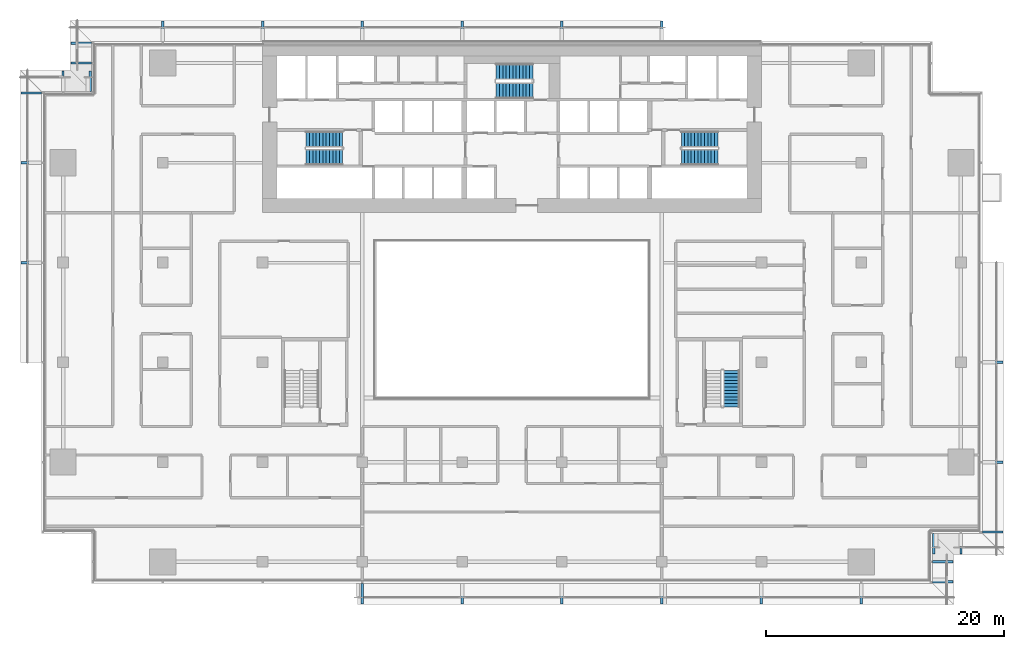
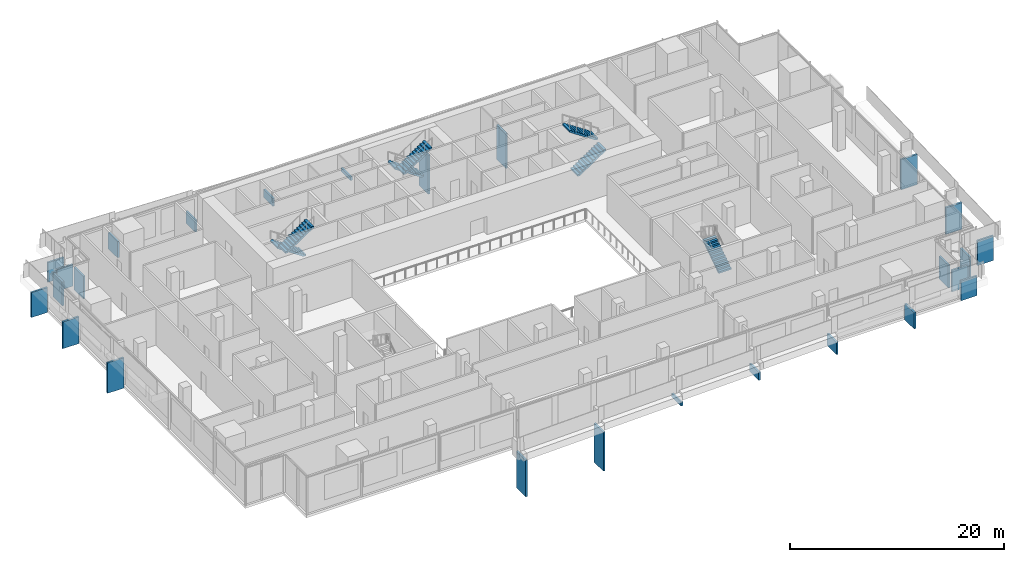
# One storey, part 19 of 24: 26 discrete accessories, 7 stair flights, 4 elements without a shape of their own.
"""IFC4 building model written with IfcOpenShell, lengths in metres."""

from ifc_helpers import new_model, si_unit, direction, frame, origin, origin_2d, place, context, subcontext, project, spatial, polyline, rectangle, outline, extrude, material, type_object, element, aggregate, save


model = new_model("IFC4")

# Units and contexts
model_context = context("Model", 3, precision=1e-05, world=origin(), true_north=direction((0.0, 1.0)))
body_context = subcontext(model_context, "Body", "Model", "MODEL_VIEW")
ifc_project = project(units=[si_unit("LENGTHUNIT", "METRE"), si_unit("AREAUNIT", "SQUARE_METRE"), si_unit("VOLUMEUNIT", "CUBIC_METRE"), si_unit("PLANEANGLEUNIT", "RADIAN"), si_unit("MASSUNIT", "GRAM", prefix="KILO")], contexts=[model_context])

# Site, building, storey
site_placement = place(None, origin())
site = spatial("IfcSite", under=ifc_project, at=site_placement, CompositionType="ELEMENT")
building_placement = place(site_placement, origin())
building = spatial("IfcBuilding", under=site, at=building_placement, Name="Saffron Gate Tower", CompositionType="ELEMENT")
storey_placement = place(building_placement, frame((0.0, 0.0, 28.199951171875)))
storey = spatial("IfcBuildingStorey", under=building, at=storey_placement, Name="L05", CompositionType="ELEMENT", Elevation=28.199951171875)

# Stair, stair flights
ifc_material = material(Name="Concrete C40", Category="concrete")
stair_type = type_object("IfcStairType", Name="ST6 Stair 1350 wide, 24 risers of 188", PredefinedType="HALF_TURN_STAIR", material=ifc_material)
stair_1_placement = place(storey_placement, origin())
stair_1 = element("IfcStair", 1, at=stair_1_placement, inside=storey, type_object=stair_type, Name="L05 Exit stair A", PredefinedType="HALF_TURN_STAIR")
stair_flight_type = type_object("IfcStairFlightType", Name="SF2 Stair flight 1350 wide, riser 188 going 280", PredefinedType="STRAIGHT", material=ifc_material)
stair_flight_1_placement = place(storey_placement, frame((73.35009765625, 67.375, 0.0), z_axis=(0.0, 0.0, 1.0), x_axis=(-1.0, 0.0, 0.0)))
stair_flight_1 = element("IfcStairFlight", 2, at=stair_flight_1_placement, type_object=stair_flight_type, Name="ST-A flight 1", NumberOfRisers=12, NumberOfTreads=11, PredefinedType="STRAIGHT", RiserHeight=0.1875, TreadLength=0.28, context=body_context, shape_type="SweptSolid", body=[
    extrude(outline(polyline([(0.0, 0.0), (0.0, 0.1875), (0.280029296875, 0.1875), (0.280029296875, 0.375), (0.56005859375, 0.375), (0.56005859375, 0.5625), (0.840087890625, 0.5625), (0.840087890625, 0.75), (1.1201171875, 0.75), (1.1201171875, 0.9375), (1.39990234375, 0.9375), (1.39990234375, 1.125), (1.679931640625, 1.125), (1.679931640625, 1.3125), (1.9599609375, 1.3125), (1.9599609375, 1.5), (2.239990234375, 1.5), (2.239990234375, 1.6875), (2.52001953125, 1.6875), (2.52001953125, 1.875), (2.800048828125, 1.875), (2.800048828125, 2.0625), (3.080078125, 2.0625), (3.080078125, 2.25), (3.080078125, 1.882080078125), (0.26953125, 0.0), (0.0, 0.0)])), frame((0.0, 0.675048828125, 0.0), z_axis=(0.0, -1.0, 0.0), x_axis=(1.0, 0.0, 0.0)), (0.0, 0.0, 1.0), 1.35009765625),
])
stair_flight_2_placement = place(storey_placement, frame((70.27001953125, 65.875, 2.25), z_axis=(0.0, 0.0, 1.0), x_axis=(1.0, 0.0, 0.0)))
stair_flight_2 = element("IfcStairFlight", 3, at=stair_flight_2_placement, type_object=stair_flight_type, Name="ST-A flight 2", NumberOfRisers=12, NumberOfTreads=11, PredefinedType="STRAIGHT", RiserHeight=0.1875, TreadLength=0.28, context=body_context, shape_type="SweptSolid", body=[
    extrude(outline(polyline([(0.0, 0.0), (0.0, 0.1875), (0.280029296875, 0.1875), (0.280029296875, 0.375), (0.56005859375, 0.375), (0.56005859375, 0.5625), (0.840087890625, 0.5625), (0.840087890625, 0.75), (1.1201171875, 0.75), (1.1201171875, 0.9375), (1.39990234375, 0.9375), (1.39990234375, 1.125), (1.679931640625, 1.125), (1.679931640625, 1.3125), (1.9599609375, 1.3125), (1.9599609375, 1.5), (2.239990234375, 1.5), (2.239990234375, 1.6875), (2.52001953125, 1.6875), (2.52001953125, 1.875), (2.800048828125, 1.875), (2.800048828125, 2.0625), (3.080078125, 2.0625), (3.080078125, 2.25), (3.080078125, 1.882080078125), (0.26953125, 0.0), (0.0, 0.0)])), frame((0.0, 0.675048828125, 0.0), z_axis=(0.0, -1.0, 0.0), x_axis=(1.0, 0.0, 0.0)), (0.0, 0.0, 1.0), 1.35009765625),
])
aggregate(stair_1, [stair_flight_1, stair_flight_2])

stair_2_placement = place(storey_placement, origin())
stair_2 = element("IfcStair", 4, at=stair_2_placement, inside=storey, type_object=stair_type, Name="L05 Exit stair B", PredefinedType="HALF_TURN_STAIR")
stair_flight_3_placement = place(storey_placement, frame((101.85009765625, 65.875, 0.0), z_axis=(0.0, 0.0, 1.0), x_axis=(1.0, 0.0, 0.0)))
stair_flight_3 = element("IfcStairFlight", 5, at=stair_flight_3_placement, type_object=stair_flight_type, Name="ST-B flight 1", NumberOfRisers=12, NumberOfTreads=11, PredefinedType="STRAIGHT", RiserHeight=0.1875, TreadLength=0.28, context=body_context, shape_type="SweptSolid", body=[
    extrude(outline(polyline([(0.0, 0.0), (0.0, 0.1875), (0.280029296875, 0.1875), (0.280029296875, 0.375), (0.56005859375, 0.375), (0.56005859375, 0.5625), (0.840087890625, 0.5625), (0.840087890625, 0.75), (1.1201171875, 0.75), (1.1201171875, 0.9375), (1.39990234375, 0.9375), (1.39990234375, 1.125), (1.679931640625, 1.125), (1.679931640625, 1.3125), (1.9599609375, 1.3125), (1.9599609375, 1.5), (2.239990234375, 1.5), (2.239990234375, 1.6875), (2.52001953125, 1.6875), (2.52001953125, 1.875), (2.800048828125, 1.875), (2.800048828125, 2.0625), (3.080078125, 2.0625), (3.080078125, 2.25), (3.080078125, 1.882080078125), (0.26953125, 0.0), (0.0, 0.0)])), frame((0.0, 0.675048828125, 0.0), z_axis=(0.0, -1.0, 0.0), x_axis=(1.0, 0.0, 0.0)), (0.0, 0.0, 1.0), 1.35009765625),
])
stair_flight_4_placement = place(storey_placement, frame((104.929931640625, 67.375, 2.25), z_axis=(0.0, 0.0, 1.0), x_axis=(-1.0, 0.0, 0.0)))
stair_flight_4 = element("IfcStairFlight", 6, at=stair_flight_4_placement, type_object=stair_flight_type, Name="ST-B flight 2", NumberOfRisers=12, NumberOfTreads=11, PredefinedType="STRAIGHT", RiserHeight=0.1875, TreadLength=0.28, context=body_context, shape_type="SweptSolid", body=[
    extrude(outline(polyline([(0.0, 0.0), (0.0, 0.1875), (0.280029296875, 0.1875), (0.280029296875, 0.375), (0.56005859375, 0.375), (0.56005859375, 0.5625), (0.840087890625, 0.5625), (0.840087890625, 0.75), (1.1201171875, 0.75), (1.1201171875, 0.9375), (1.39990234375, 0.9375), (1.39990234375, 1.125), (1.679931640625, 1.125), (1.679931640625, 1.3125), (1.9599609375, 1.3125), (1.9599609375, 1.5), (2.239990234375, 1.5), (2.239990234375, 1.6875), (2.52001953125, 1.6875), (2.52001953125, 1.875), (2.800048828125, 1.875), (2.800048828125, 2.0625), (3.080078125, 2.0625), (3.080078125, 2.25), (3.080078125, 1.882080078125), (0.26953125, 0.0), (0.0, 0.0)])), frame((0.0, 0.675048828125, 0.0), z_axis=(0.0, -1.0, 0.0), x_axis=(1.0, 0.0, 0.0)), (0.0, 0.0, 1.0), 1.35009765625),
])
aggregate(stair_2, [stair_flight_3, stair_flight_4])

stair_3_placement = place(storey_placement, origin())
stair_3 = element("IfcStair", 7, at=stair_3_placement, inside=storey, type_object=stair_type, Name="L05 Exit stair C", PredefinedType="HALF_TURN_STAIR")
stair_flight_5_placement = place(storey_placement, frame((89.35009765625, 73.074951171875, 0.0), z_axis=(0.0, 0.0, 1.0), x_axis=(-1.0, 0.0, 0.0)))
stair_flight_5 = element("IfcStairFlight", 8, at=stair_flight_5_placement, type_object=stair_flight_type, Name="ST-C flight 1", NumberOfRisers=12, NumberOfTreads=11, PredefinedType="STRAIGHT", RiserHeight=0.1875, TreadLength=0.28, context=body_context, shape_type="SweptSolid", body=[
    extrude(outline(polyline([(0.0, 0.0), (0.0, 0.1875), (0.280029296875, 0.1875), (0.280029296875, 0.375), (0.56005859375, 0.375), (0.56005859375, 0.5625), (0.840087890625, 0.5625), (0.840087890625, 0.75), (1.1201171875, 0.75), (1.1201171875, 0.9375), (1.39990234375, 0.9375), (1.39990234375, 1.125), (1.679931640625, 1.125), (1.679931640625, 1.3125), (1.9599609375, 1.3125), (1.9599609375, 1.5), (2.239990234375, 1.5), (2.239990234375, 1.6875), (2.52001953125, 1.6875), (2.52001953125, 1.875), (2.800048828125, 1.875), (2.800048828125, 2.0625), (3.080078125, 2.0625), (3.080078125, 2.25), (3.080078125, 1.882080078125), (0.26953125, 0.0), (0.0, 0.0)])), frame((0.0, 0.675048828125, 0.0), z_axis=(0.0, -1.0, 0.0), x_axis=(1.0, 0.0, 0.0)), (0.0, 0.0, 1.0), 1.35009765625),
])
stair_flight_6_placement = place(storey_placement, frame((86.27001953125, 71.47509765625, 2.25), z_axis=(0.0, 0.0, 1.0), x_axis=(1.0, 0.0, 0.0)))
stair_flight_6 = element("IfcStairFlight", 9, at=stair_flight_6_placement, type_object=stair_flight_type, Name="ST-C flight 2", NumberOfRisers=12, NumberOfTreads=11, PredefinedType="STRAIGHT", RiserHeight=0.1875, TreadLength=0.28, context=body_context, shape_type="SweptSolid", body=[
    extrude(outline(polyline([(0.0, 0.0), (0.0, 0.1875), (0.280029296875, 0.1875), (0.280029296875, 0.375), (0.56005859375, 0.375), (0.56005859375, 0.5625), (0.840087890625, 0.5625), (0.840087890625, 0.75), (1.1201171875, 0.75), (1.1201171875, 0.9375), (1.39990234375, 0.9375), (1.39990234375, 1.125), (1.679931640625, 1.125), (1.679931640625, 1.3125), (1.9599609375, 1.3125), (1.9599609375, 1.5), (2.239990234375, 1.5), (2.239990234375, 1.6875), (2.52001953125, 1.6875), (2.52001953125, 1.875), (2.800048828125, 1.875), (2.800048828125, 2.0625), (3.080078125, 2.0625), (3.080078125, 2.25), (3.080078125, 1.882080078125), (0.26953125, 0.0), (0.0, 0.0)])), frame((0.0, 0.675048828125, 0.0), z_axis=(0.0, -1.0, 0.0), x_axis=(1.0, 0.0, 0.0)), (0.0, 0.0, 1.0), 1.35009765625),
])
aggregate(stair_3, [stair_flight_5, stair_flight_6])

# Stair, stair flight
stair_4_placement = place(storey_placement, origin())
stair_4 = element("IfcStair", 10, at=stair_4_placement, inside=storey, type_object=stair_type, Name="L05 Exit stair E", PredefinedType="HALF_TURN_STAIR")
stair_flight_7_placement = place(storey_placement, frame((106.074951171875, 44.85009765625, 0.0), z_axis=(0.0, 0.0, 1.0), x_axis=(0.0, 1.0, 0.0)))
stair_flight_7 = element("IfcStairFlight", 11, at=stair_flight_7_placement, type_object=stair_flight_type, Name="ST-E flight 1", NumberOfRisers=12, NumberOfTreads=11, PredefinedType="STRAIGHT", RiserHeight=0.1875, TreadLength=0.28, context=body_context, shape_type="SweptSolid", body=[
    extrude(outline(polyline([(0.0, 0.0), (0.0, 0.1875), (0.280029296875, 0.1875), (0.280029296875, 0.375), (0.56005859375, 0.375), (0.56005859375, 0.5625), (0.840087890625, 0.5625), (0.840087890625, 0.75), (1.1201171875, 0.75), (1.1201171875, 0.9375), (1.39990234375, 0.9375), (1.39990234375, 1.125), (1.679931640625, 1.125), (1.679931640625, 1.3125), (1.9599609375, 1.3125), (1.9599609375, 1.5), (2.239990234375, 1.5), (2.239990234375, 1.6875), (2.52001953125, 1.6875), (2.52001953125, 1.875), (2.800048828125, 1.875), (2.800048828125, 2.0625), (3.080078125, 2.0625), (3.080078125, 2.25), (3.080078125, 1.882080078125), (0.26953125, 0.0), (0.0, 0.0)])), frame((0.0, 0.675048828125, 0.0), z_axis=(0.0, -1.0, 0.0), x_axis=(1.0, 0.0, 0.0)), (0.0, 0.0, 1.0), 1.35009765625),
])
aggregate(stair_4, [stair_flight_7])

# Discrete accessories
discrete_accessory_1_placement = place(storey_placement, frame((100.199951171875, 76.47509765625, -4.7998046875), z_axis=(0.0, 0.0, 1.0), x_axis=(-1.0, 0.0, 0.0)))
element("IfcDiscreteAccessory", 12, at=discrete_accessory_1_placement, inside=storey, Name="LEDGE rib", PredefinedType="BRACKET", context=body_context, shape_type="SweptSolid", body=[
    extrude(rectangle(XDim=0.199951171875, YDim=1.75, at=origin_2d()), origin(), (0.0, 0.0, 1.0), 3.98193359375),
])
discrete_accessory_2_placement = place(storey_placement, frame((91.800048828125, 76.47509765625, -4.7998046875), z_axis=(0.0, 0.0, 1.0), x_axis=(-1.0, 0.0, 0.0)))
element("IfcDiscreteAccessory", 13, at=discrete_accessory_2_placement, inside=storey, Name="LEDGE rib", PredefinedType="BRACKET", context=body_context, shape_type="SweptSolid", body=[
    extrude(rectangle(XDim=0.199951171875, YDim=1.75, at=origin_2d()), origin(), (0.0, 0.0, 1.0), 4.455078125),
])
discrete_accessory_3_placement = place(storey_placement, frame((83.39990234375, 76.47509765625, -0.300048828125), z_axis=(0.0, 0.0, 1.0), x_axis=(-1.0, 0.0, 0.0)))
element("IfcDiscreteAccessory", 14, at=discrete_accessory_3_placement, inside=storey, Name="LEDGE rib", PredefinedType="BRACKET", context=body_context, shape_type="SweptSolid", body=[
    extrude(rectangle(XDim=0.199951171875, YDim=1.75, at=origin_2d()), origin(), (0.0, 0.0, 1.0), 0.42822265625),
])
discrete_accessory_4_placement = place(storey_placement, frame((75.0, 76.47509765625, -0.300048828125), z_axis=(0.0, 0.0, 1.0), x_axis=(-1.0, 0.0, 0.0)))
element("IfcDiscreteAccessory", 15, at=discrete_accessory_4_placement, inside=storey, Name="LEDGE rib", PredefinedType="BRACKET", context=body_context, shape_type="SweptSolid", body=[
    extrude(rectangle(XDim=0.199951171875, YDim=1.75, at=origin_2d()), origin(), (0.0, 0.0, 1.0), 0.9013671875),
])
discrete_accessory_5_placement = place(storey_placement, frame((66.60009765625, 76.47509765625, -0.300048828125), z_axis=(0.0, 0.0, 1.0), x_axis=(-1.0, 0.0, 0.0)))
element("IfcDiscreteAccessory", 16, at=discrete_accessory_5_placement, inside=storey, Name="LEDGE rib", PredefinedType="BRACKET", context=body_context, shape_type="SweptSolid", body=[
    extrude(rectangle(XDim=0.199951171875, YDim=1.75, at=origin_2d()), origin(), (0.0, 0.0, 1.0), 1.37451171875),
])
discrete_accessory_6_placement = place(storey_placement, frame((58.199951171875, 76.47509765625, -0.300048828125), z_axis=(0.0, 0.0, 1.0), x_axis=(-1.0, 0.0, 0.0)))
element("IfcDiscreteAccessory", 17, at=discrete_accessory_6_placement, inside=storey, Name="LEDGE rib", PredefinedType="BRACKET", context=body_context, shape_type="SweptSolid", body=[
    extrude(rectangle(XDim=0.199951171875, YDim=1.75, at=origin_2d()), origin(), (0.0, 0.0, 1.0), 1.84765625),
])
discrete_accessory_7_placement = place(storey_placement, frame((51.324951171875, 75.47998046875, -0.2998046875), z_axis=(0.0, 0.0, 1.0), x_axis=(0.0, -1.0, 0.0)))
element("IfcDiscreteAccessory", 18, at=discrete_accessory_7_placement, inside=storey, Name="LEDGE rib", PredefinedType="BRACKET", context=body_context, shape_type="SweptSolid", body=[
    extrude(rectangle(XDim=0.199951171875, YDim=1.75, at=origin_2d()), origin(), (0.0, 0.0, 1.0), 2.25146484375),
])
discrete_accessory_8_placement = place(storey_placement, frame((51.324951171875, 73.800048828125, -0.2998046875), z_axis=(0.0, 0.0, 1.0), x_axis=(0.0, -1.0, 0.0)))
element("IfcDiscreteAccessory", 19, at=discrete_accessory_8_placement, inside=storey, Name="LEDGE rib", PredefinedType="BRACKET", context=body_context, shape_type="SweptSolid", body=[
    extrude(rectangle(XDim=0.199951171875, YDim=1.75, at=origin_2d()), origin(), (0.0, 0.0, 1.0), 2.468505859375),
])
discrete_accessory_9_placement = place(storey_placement, frame((52.080078125, 72.27490234375, -0.2998046875), z_axis=(0.0, 0.0, 1.0), x_axis=(-1.0, 0.0, 0.0)))
element("IfcDiscreteAccessory", 20, at=discrete_accessory_9_placement, inside=storey, Name="LEDGE rib", PredefinedType="BRACKET", context=body_context, shape_type="SweptSolid", body=[
    extrude(rectangle(XDim=0.199951171875, YDim=1.75, at=origin_2d()), origin(), (0.0, 0.0, 1.0), 2.587158203125),
])
discrete_accessory_10_placement = place(storey_placement, frame((49.800048828125, 72.27490234375, -0.2998046875), z_axis=(0.0, 0.0, 1.0), x_axis=(-1.0, 0.0, 0.0)))
element("IfcDiscreteAccessory", 21, at=discrete_accessory_10_placement, inside=storey, Name="LEDGE rib", PredefinedType="BRACKET", context=body_context, shape_type="SweptSolid", body=[
    extrude(rectangle(XDim=0.199951171875, YDim=1.75, at=origin_2d()), origin(), (0.0, 0.0, 1.0), 2.722412109375),
])
discrete_accessory_11_placement = place(storey_placement, frame((47.125, 71.280029296875, -0.2998046875), z_axis=(0.0, 0.0, 1.0), x_axis=(0.0, -1.0, 0.0)))
element("IfcDiscreteAccessory", 22, at=discrete_accessory_11_placement, inside=storey, Name="LEDGE rib", PredefinedType="BRACKET", context=body_context, shape_type="SweptSolid", body=[
    extrude(rectangle(XDim=0.199951171875, YDim=1.75, at=origin_2d()), origin(), (0.0, 0.0, 1.0), 2.840087890625),
])
discrete_accessory_12_placement = place(storey_placement, frame((47.125, 65.39990234375, -0.2998046875), z_axis=(0.0, 0.0, 1.0), x_axis=(0.0, -1.0, 0.0)))
element("IfcDiscreteAccessory", 23, at=discrete_accessory_12_placement, inside=storey, Name="LEDGE rib", PredefinedType="BRACKET", context=body_context, shape_type="SweptSolid", body=[
    extrude(rectangle(XDim=0.199951171875, YDim=1.75, at=origin_2d()), origin(), (0.0, 0.0, 1.0), 3.0625),
])
discrete_accessory_13_placement = place(storey_placement, frame((47.125, 57.0, -0.300048828125), z_axis=(0.0, 0.0, 1.0), x_axis=(0.0, -1.0, 0.0)))
element("IfcDiscreteAccessory", 24, at=discrete_accessory_13_placement, inside=storey, Name="LEDGE rib", PredefinedType="BRACKET", context=body_context, shape_type="SweptSolid", body=[
    extrude(rectangle(XDim=0.199951171875, YDim=1.75, at=origin_2d()), origin(), (0.0, 0.0, 1.0), 3.4697265625),
])
discrete_accessory_14_placement = place(storey_placement, frame((75.0, 29.125, -4.800048828125), z_axis=(0.0, 0.0, 1.0), x_axis=(1.0, 0.0, 0.0)))
element("IfcDiscreteAccessory", 25, at=discrete_accessory_14_placement, inside=storey, Name="LEDGE rib", PredefinedType="BRACKET", context=body_context, shape_type="SweptSolid", body=[
    extrude(rectangle(XDim=0.199951171875, YDim=1.75, at=origin_2d()), origin(), (0.0, 0.0, 1.0), 4.2021484375),
])
discrete_accessory_15_placement = place(storey_placement, frame((83.39990234375, 29.125, -4.7998046875), z_axis=(0.0, 0.0, 1.0), x_axis=(1.0, 0.0, 0.0)))
element("IfcDiscreteAccessory", 26, at=discrete_accessory_15_placement, inside=storey, Name="LEDGE rib", PredefinedType="BRACKET", context=body_context, shape_type="SweptSolid", body=[
    extrude(rectangle(XDim=0.199951171875, YDim=1.75, at=origin_2d()), origin(), (0.0, 0.0, 1.0), 4.455078125),
])
discrete_accessory_16_placement = place(storey_placement, frame((91.800048828125, 29.125, -0.300048828125), z_axis=(0.0, 0.0, 1.0), x_axis=(1.0, 0.0, 0.0)))
element("IfcDiscreteAccessory", 27, at=discrete_accessory_16_placement, inside=storey, Name="LEDGE rib", PredefinedType="BRACKET", context=body_context, shape_type="SweptSolid", body=[
    extrude(rectangle(XDim=0.199951171875, YDim=1.75, at=origin_2d()), origin(), (0.0, 0.0, 1.0), 0.42822265625),
])
discrete_accessory_17_placement = place(storey_placement, frame((100.199951171875, 29.125, -0.300048828125), z_axis=(0.0, 0.0, 1.0), x_axis=(1.0, 0.0, 0.0)))
element("IfcDiscreteAccessory", 28, at=discrete_accessory_17_placement, inside=storey, Name="LEDGE rib", PredefinedType="BRACKET", context=body_context, shape_type="SweptSolid", body=[
    extrude(rectangle(XDim=0.199951171875, YDim=1.75, at=origin_2d()), origin(), (0.0, 0.0, 1.0), 0.9013671875),
])
discrete_accessory_18_placement = place(storey_placement, frame((108.60009765625, 29.125, -0.2998046875), z_axis=(0.0, 0.0, 1.0), x_axis=(1.0, 0.0, 0.0)))
element("IfcDiscreteAccessory", 29, at=discrete_accessory_18_placement, inside=storey, Name="LEDGE rib", PredefinedType="BRACKET", context=body_context, shape_type="SweptSolid", body=[
    extrude(rectangle(XDim=0.199951171875, YDim=1.75, at=origin_2d()), origin(), (0.0, 0.0, 1.0), 1.385498046875),
])
discrete_accessory_19_placement = place(storey_placement, frame((117.0, 29.125, -0.300048828125), z_axis=(0.0, 0.0, 1.0), x_axis=(1.0, 0.0, 0.0)))
element("IfcDiscreteAccessory", 30, at=discrete_accessory_19_placement, inside=storey, Name="LEDGE rib", PredefinedType="BRACKET", context=body_context, shape_type="SweptSolid", body=[
    extrude(rectangle(XDim=0.199951171875, YDim=1.75, at=origin_2d()), origin(), (0.0, 0.0, 1.0), 1.84765625),
])
discrete_accessory_20_placement = place(storey_placement, frame((123.875, 30.1201171875, -0.2998046875), z_axis=(0.0, 0.0, 1.0), x_axis=(0.0, 1.0, 0.0)))
element("IfcDiscreteAccessory", 31, at=discrete_accessory_20_placement, inside=storey, Name="LEDGE rib", PredefinedType="BRACKET", context=body_context, shape_type="SweptSolid", body=[
    extrude(rectangle(XDim=0.199951171875, YDim=1.75, at=origin_2d()), origin(), (0.0, 0.0, 1.0), 2.25146484375),
])
discrete_accessory_21_placement = place(storey_placement, frame((123.875, 31.800048828125, -0.2998046875), z_axis=(0.0, 0.0, 1.0), x_axis=(0.0, 1.0, 0.0)))
element("IfcDiscreteAccessory", 32, at=discrete_accessory_21_placement, inside=storey, Name="LEDGE rib", PredefinedType="BRACKET", context=body_context, shape_type="SweptSolid", body=[
    extrude(rectangle(XDim=0.199951171875, YDim=1.75, at=origin_2d()), origin(), (0.0, 0.0, 1.0), 2.468505859375),
])
discrete_accessory_22_placement = place(storey_placement, frame((123.1201171875, 33.324951171875, -0.2998046875), z_axis=(0.0, 0.0, 1.0), x_axis=(1.0, 0.0, 0.0)))
element("IfcDiscreteAccessory", 33, at=discrete_accessory_22_placement, inside=storey, Name="LEDGE rib", PredefinedType="BRACKET", context=body_context, shape_type="SweptSolid", body=[
    extrude(rectangle(XDim=0.199951171875, YDim=1.75, at=origin_2d()), origin(), (0.0, 0.0, 1.0), 2.587158203125),
])
discrete_accessory_23_placement = place(storey_placement, frame((125.39990234375, 33.324951171875, -0.2998046875), z_axis=(0.0, 0.0, 1.0), x_axis=(1.0, 0.0, 0.0)))
element("IfcDiscreteAccessory", 34, at=discrete_accessory_23_placement, inside=storey, Name="LEDGE rib", PredefinedType="BRACKET", context=body_context, shape_type="SweptSolid", body=[
    extrude(rectangle(XDim=0.199951171875, YDim=1.75, at=origin_2d()), origin(), (0.0, 0.0, 1.0), 2.722412109375),
])
discrete_accessory_24_placement = place(storey_placement, frame((128.074951171875, 34.320068359375, -0.2998046875), z_axis=(0.0, 0.0, 1.0), x_axis=(0.0, 1.0, 0.0)))
element("IfcDiscreteAccessory", 35, at=discrete_accessory_24_placement, inside=storey, Name="LEDGE rib", PredefinedType="BRACKET", context=body_context, shape_type="SweptSolid", body=[
    extrude(rectangle(XDim=0.199951171875, YDim=1.75, at=origin_2d()), origin(), (0.0, 0.0, 1.0), 2.840087890625),
])
discrete_accessory_25_placement = place(storey_placement, frame((128.074951171875, 40.199951171875, -0.2998046875), z_axis=(0.0, 0.0, 1.0), x_axis=(0.0, 1.0, 0.0)))
element("IfcDiscreteAccessory", 36, at=discrete_accessory_25_placement, inside=storey, Name="LEDGE rib", PredefinedType="BRACKET", context=body_context, shape_type="SweptSolid", body=[
    extrude(rectangle(XDim=0.199951171875, YDim=1.75, at=origin_2d()), origin(), (0.0, 0.0, 1.0), 3.0625),
])
discrete_accessory_26_placement = place(storey_placement, frame((128.074951171875, 48.60009765625, -0.300048828125), z_axis=(0.0, 0.0, 1.0), x_axis=(0.0, 1.0, 0.0)))
element("IfcDiscreteAccessory", 37, at=discrete_accessory_26_placement, inside=storey, Name="LEDGE rib", PredefinedType="BRACKET", context=body_context, shape_type="SweptSolid", body=[
    extrude(rectangle(XDim=0.199951171875, YDim=1.75, at=origin_2d()), origin(), (0.0, 0.0, 1.0), 3.4697265625),
])

save(model, "model.ifc")
